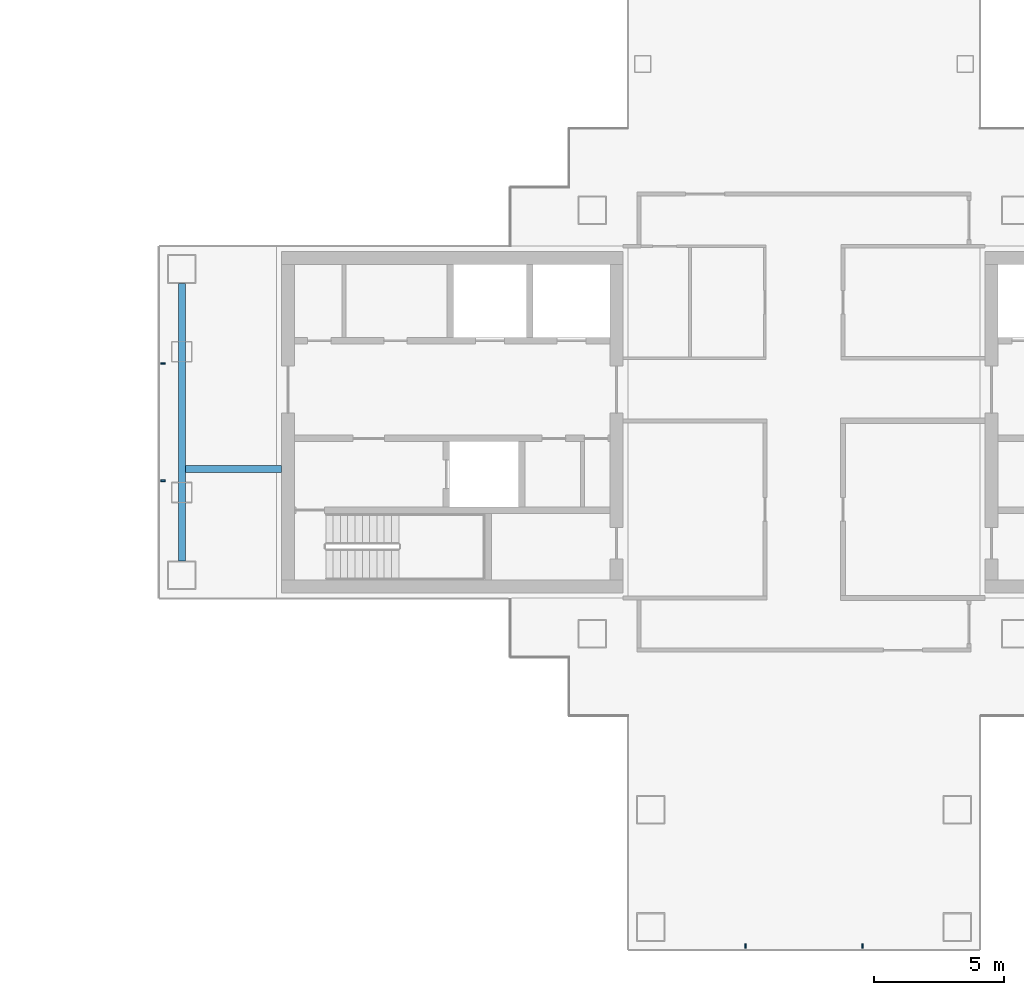
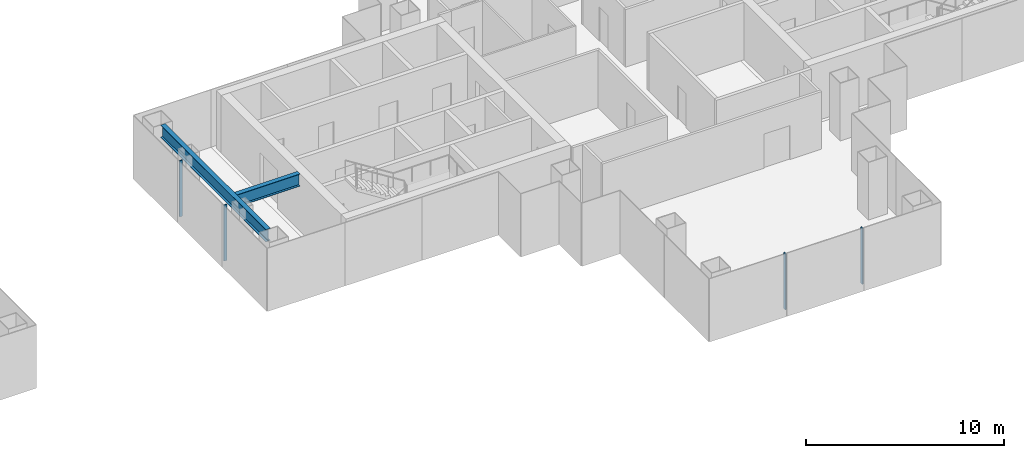
# One storey, part 5 of 16: 4 members, 2 beams, 2 elements without a shape of their own.
"""IFC4 building model written with IfcOpenShell, lengths in metres."""

import ifcopenshell
import ifcopenshell.guid

model = None  # the IFC model being written
_history = None  # IfcOwnerHistory: only IFC2X3 demands one
_inside = {}  # id of a spatial element -> (the spatial element, [elements in it])
_under = {}  # id of a project, library or spatial element -> (it, [spatial elements below it])
_declared = {}  # id of a project -> (the project, [libraries it declares])
_typed = {}  # id of a type object -> (the type object, [elements of that type])
_made_of = {}  # id of a material, layer set ... -> (it, [elements and type objects made of it])


def new_model(schema):
    """Start an empty IFC model of exactly this schema.

    Asked for "IFC4X3", IfcOpenShell would pick the latest addendum, in which some entities
    have other attributes; the version numbers below select the first issue.
    IFC2X3 requires an IfcOwnerHistory on every rooted entity: one is made here for all.
    """
    global model, _history
    if schema == "IFC4X3":
        model = ifcopenshell.file(schema_version=(4, 3, 0, 0))
    else:
        model = ifcopenshell.file(schema=schema)
    _inside.clear()
    _under.clear()
    _declared.clear()
    _typed.clear()
    _made_of.clear()
    _history = None
    if model.schema == "IFC2X3":
        org = make("IfcOrganization", Name="unknown")
        user = make(
            "IfcPersonAndOrganization",
            ThePerson=make("IfcPerson", FamilyName="unknown"),
            TheOrganization=org,
        )
        app = make(
            "IfcApplication",
            ApplicationDeveloper=org,
            Version="unknown",
            ApplicationFullName="unknown",
            ApplicationIdentifier="unknown",
        )
        _history = make(
            "IfcOwnerHistory",
            OwningUser=user,
            OwningApplication=app,
            ChangeAction="ADDED",
            CreationDate=0,
        )
    return model


def make(cls, **values):
    """One entity of the class cls with the attributes given. An attribute that is None is left unset."""
    return model.create_entity(
        cls, **{name: value for name, value in values.items() if value is not None}
    )


def rooted(cls, **values):
    """An entity with a GlobalId (a new one), such as an element, a storey or a relation."""
    return make(cls, GlobalId=ifcopenshell.guid.new(), OwnerHistory=_history, **values)


def si_unit(unit_type, name, prefix=None):
    """IfcSIUnit, for example si_unit("LENGTHUNIT", "METRE", prefix="MILLI")."""
    return make("IfcSIUnit", UnitType=unit_type, Prefix=prefix, Name=name)


def assignment(units):
    """IfcUnitAssignment: the units of a project."""
    return None if units is None else make("IfcUnitAssignment", Units=units)


def point(xyz):
    """IfcCartesianPoint."""
    return None if xyz is None else make("IfcCartesianPoint", Coordinates=xyz)


def direction(xyz):
    """IfcDirection."""
    return None if xyz is None else make("IfcDirection", DirectionRatios=xyz)


def frame(location, z_axis=None, x_axis=None):
    """IfcAxis2Placement3D, a coordinate frame: its origin and axes. An axis left out is left unset."""
    return make(
        "IfcAxis2Placement3D",
        Location=point(location),
        Axis=direction(z_axis),
        RefDirection=direction(x_axis),
    )


def frame_2d(location, x_axis=None):
    """IfcAxis2Placement2D, a coordinate frame in the plane: its origin and x axis."""
    return make(
        "IfcAxis2Placement2D", Location=point(location), RefDirection=direction(x_axis)
    )


def origin():
    """The frame at (0, 0, 0) with its axes left unset."""
    return frame((0.0, 0.0, 0.0))


def origin_2d():
    """The frame at (0, 0) in the plane with its x axis left unset."""
    return frame_2d((0.0, 0.0))


def place(relative_to, where):
    """IfcLocalPlacement: puts the frame where relative to a parent placement (None: the world)."""
    return make(
        "IfcLocalPlacement", PlacementRelTo=relative_to, RelativePlacement=where
    )


def context(
    kind, dimensions, precision=None, world=None, true_north=None, identifier=None
):
    """IfcGeometricRepresentationContext, for example the 3D "Model" context."""
    return make(
        "IfcGeometricRepresentationContext",
        ContextIdentifier=identifier,
        ContextType=kind,
        CoordinateSpaceDimension=dimensions,
        Precision=precision,
        WorldCoordinateSystem=world,
        TrueNorth=true_north,
    )


def subcontext(parent, identifier, kind, view, scale=None):
    """IfcGeometricRepresentationSubContext, for example "Body" below "Model"."""
    return make(
        "IfcGeometricRepresentationSubContext",
        ContextIdentifier=identifier,
        ContextType=kind,
        ParentContext=parent,
        TargetScale=scale,
        TargetView=view,
    )


def project(units=None, contexts=None):
    """IfcProject with its units and contexts."""
    return rooted(
        "IfcProject",
        Name="project",
        RepresentationContexts=contexts,
        UnitsInContext=assignment(units),
    )


def spatial(cls, under=None, at=None, **own):
    """A site, building, storey or space (cls), placed at a placement, below another one or the project."""
    s = rooted(cls, ObjectPlacement=at, **own)
    if under is not None:
        _under.setdefault(under.id(), (under, []))[1].append(s)
    return s


def profile(cls, at=None, kind="AREA", **sizes):
    """A parametric profile (cls). Its sizes go by their IFC names, for example OverallWidth=200.0."""
    return make(cls, ProfileType=kind, Position=at, **sizes)


def rectangle(**sizes):
    """IfcRectangleProfileDef."""
    return profile("IfcRectangleProfileDef", **sizes)


def i_section(**sizes):
    """IfcIShapeProfileDef."""
    return profile("IfcIShapeProfileDef", **sizes)


def extrude(swept, where, along, depth):
    """IfcExtrudedAreaSolid: the profile swept, set in the frame where, extruded along a direction by depth."""
    return make(
        "IfcExtrudedAreaSolid",
        SweptArea=swept,
        Position=where,
        ExtrudedDirection=direction(along),
        Depth=depth,
    )


def shape(context_of_items, identifier, shape_type, items):
    """IfcShapeRepresentation: the items that make up one representation, for example the "Body"."""
    return make(
        "IfcShapeRepresentation",
        ContextOfItems=context_of_items,
        RepresentationIdentifier=identifier,
        RepresentationType=shape_type,
        Items=items,
    )


def material(Name=None, Category=None):
    """IfcMaterial."""
    return make("IfcMaterial", Name=Name, Category=Category)


def layer(
    of_material, thickness, ventilated=None, Name=None, Category=None, Priority=None
):
    """IfcMaterialLayer: one layer of a wall or slab, of a material (None: an air gap)."""
    return make(
        "IfcMaterialLayer",
        Material=of_material,
        LayerThickness=thickness,
        IsVentilated=ventilated,
        Name=Name,
        Category=Category,
        Priority=Priority,
    )


def layer_set(layers, Name=None):
    """IfcMaterialLayerSet."""
    return make("IfcMaterialLayerSet", MaterialLayers=layers, LayerSetName=Name)


def material_profile(
    of_material, cross_section, Name=None, Category=None, Priority=None
):
    """IfcMaterialProfile: a cross section and its material."""
    return make(
        "IfcMaterialProfile",
        Name=Name,
        Material=of_material,
        Profile=cross_section,
        Priority=Priority,
        Category=Category,
    )


def profile_set(profiles, Name=None, composite=None):
    """IfcMaterialProfileSet."""
    return make(
        "IfcMaterialProfileSet",
        Name=Name,
        MaterialProfiles=profiles,
        CompositeProfile=composite,
    )


def made_of(thing, what):
    """Note that an element or type object is made of a material, layer set ...; save() writes the relation."""
    if what is not None:
        _made_of.setdefault(what.id(), (what, []))[1].append(thing)
    return thing


def type_object(cls, material=None, **own):
    """A type object (cls), such as IfcWallType, which elements share."""
    return made_of(rooted(cls, **own), material)


def element(
    cls,
    number,
    at=None,
    inside=None,
    cuts=None,
    type_object=None,
    material=None,
    context=None,
    identifier="Body",
    shape_type=None,
    held_by="IfcProductDefinitionShape",
    body=None,
    shapes=None,
    **own,
):
    """One element of the class cls, such as IfcWall. Its Tag is "e" and its number.

    at: its placement. inside: the storey or other place that contains it. cuts: it is an
    opening in that element (IfcRelVoidsElement). A single representation is given by context,
    identifier, shape_type and body (its items); several are given by shapes. held_by: the class
    of the entity that holds the representations. save() writes the other relations.
    """
    e = rooted(cls, Tag="e%d" % number, ObjectPlacement=at, **own)
    if body is not None:
        shapes = [shape(context, identifier, shape_type, body)]
    if shapes is not None:
        e.Representation = make(held_by, Representations=shapes)
    if inside is not None:
        _inside.setdefault(inside.id(), (inside, []))[1].append(e)
    if cuts is not None:
        rooted(
            "IfcRelVoidsElement", RelatingBuildingElement=cuts, RelatedOpeningElement=e
        )
    if type_object is not None:
        _typed.setdefault(type_object.id(), (type_object, []))[1].append(e)
    return made_of(e, material)


def aggregate(whole, parts):
    """IfcRelAggregates: a whole, such as a stair, and the parts it consists of."""
    return rooted("IfcRelAggregates", RelatingObject=whole, RelatedObjects=parts)


def save(model, path):
    """Write the relations noted so far, then the file.

    IfcRelAggregates (storeys below a building ...), IfcRelContainedInSpatialStructure (elements
    in a storey), IfcRelDefinesByType, IfcRelAssociatesMaterial and IfcRelDeclares: one each for
    every whole, place, type object, material and project.
    """
    for whole, parts in _under.values():
        aggregate(whole, parts)
    for where, things in _inside.values():
        rooted(
            "IfcRelContainedInSpatialStructure",
            RelatedElements=things,
            RelatingStructure=where,
        )
    for kind, things in _typed.values():
        rooted("IfcRelDefinesByType", RelatedObjects=things, RelatingType=kind)
    for what, things in _made_of.values():
        rooted("IfcRelAssociatesMaterial", RelatedObjects=things, RelatingMaterial=what)
    for by, libraries in _declared.values():
        rooted("IfcRelDeclares", RelatingContext=by, RelatedDefinitions=libraries)
    model.write(path)


model = new_model("IFC4")

# Units and contexts
model_context = context("Model", 3, precision=1e-05, world=origin(), true_north=direction((0.0, 1.0)))
body_context = subcontext(model_context, "Body", "Model", "MODEL_VIEW")
ifc_project = project(units=[si_unit("LENGTHUNIT", "METRE"), si_unit("AREAUNIT", "SQUARE_METRE"), si_unit("VOLUMEUNIT", "CUBIC_METRE"), si_unit("PLANEANGLEUNIT", "RADIAN"), si_unit("MASSUNIT", "GRAM", prefix="KILO")], contexts=[model_context])

# Site, building, storey
site_placement = place(None, origin())
site = spatial("IfcSite", under=ifc_project, at=site_placement, CompositionType="ELEMENT")
building_placement = place(site_placement, origin())
building = spatial("IfcBuilding", under=site, at=building_placement, Name="Shamsa Quay Exchange Towers", CompositionType="ELEMENT")
storey_placement = place(building_placement, frame((0.0, 0.0, 142.800048828125)))
storey = spatial("IfcBuildingStorey", under=building, at=storey_placement, Name="L33", CompositionType="ELEMENT", Elevation=142.800048828125)

# Curtain wall, members
ifc_material_1 = material(Name="Aluminium EN AW-6063 T6, black anodised", Category="aluminium")
ifc_layer = layer(ifc_material_1, 0.280029296875)
ifc_layer_set = layer_set([ifc_layer], Name="CW-1 UNITISED VISION GLASS")
curtain_wall_type = type_object("IfcCurtainWallType", Name="CW-1 UNITISED VISION GLASS", PredefinedType="NOTDEFINED", material=ifc_layer_set)
curtain_wall_1_placement = place(storey_placement, origin())
curtain_wall_1 = element("IfcCurtainWall", 1, at=curtain_wall_1_placement, inside=storey, type_object=curtain_wall_type, Name="CW1 T2-END-V+ L33", PredefinedType="NOTDEFINED")
ifc_material_profile_1 = material_profile(ifc_material_1, rectangle(XDim=0.179931640625, YDim=0.06005859375, at=origin_2d()), Name="MU60x180")
ifc_profile_set_1 = profile_set([ifc_material_profile_1], Name="Aluminium EN AW-6063 T6, black anodised")
member_type = type_object("IfcMemberType", Name="CW1 MULLION 60x180", PredefinedType="MULLION", material=ifc_profile_set_1)
member_1_placement = place(storey_placement, frame((9.14990234375, 2.25, 0.0)))
member_1 = element("IfcMember", 2, at=member_1_placement, type_object=member_type, Name="CW1 mullion", PredefinedType="MULLION", context=body_context, shape_type="SweptSolid", body=[
    extrude(rectangle(XDim=0.179931640625, YDim=0.06005859375, at=origin_2d()), origin(), (0.0, 0.0, 1.0), 3.449951171875),
])
member_2_placement = place(storey_placement, frame((9.14990234375, -2.25, 0.0)))
member_2 = element("IfcMember", 3, at=member_2_placement, type_object=member_type, Name="CW1 mullion", PredefinedType="MULLION", context=body_context, shape_type="SweptSolid", body=[
    extrude(rectangle(XDim=0.179931640625, YDim=0.06005859375, at=origin_2d()), origin(), (0.0, 0.0, 1.0), 3.449951171875),
])
aggregate(curtain_wall_1, [member_1, member_2])

curtain_wall_2_placement = place(storey_placement, origin())
curtain_wall_2 = element("IfcCurtainWall", 4, at=curtain_wall_2_placement, inside=storey, type_object=curtain_wall_type, Name="CW1 T2-END-U- L33", PredefinedType="NOTDEFINED")
member_3_placement = place(storey_placement, frame((31.5, -20.10009765625, 0.0), z_axis=(0.0, 0.0, 1.0), x_axis=(0.0, 1.0, 0.0)))
member_3 = element("IfcMember", 5, at=member_3_placement, type_object=member_type, Name="CW1 mullion", PredefinedType="MULLION", context=body_context, shape_type="SweptSolid", body=[
    extrude(rectangle(XDim=0.179931640625, YDim=0.06005859375, at=origin_2d()), origin(), (0.0, 0.0, 1.0), 3.449951171875),
])
member_4_placement = place(storey_placement, frame((36.0, -20.10009765625, 0.0), z_axis=(0.0, 0.0, 1.0), x_axis=(0.0, 1.0, 0.0)))
member_4 = element("IfcMember", 6, at=member_4_placement, type_object=member_type, Name="CW1 mullion", PredefinedType="MULLION", context=body_context, shape_type="SweptSolid", body=[
    extrude(rectangle(XDim=0.179931640625, YDim=0.06005859375, at=origin_2d()), origin(), (0.0, 0.0, 1.0), 3.449951171875),
])
aggregate(curtain_wall_2, [member_3, member_4])

# Beams
ifc_material_2 = material(Name="Steel S355", Category="steel")
ifc_material_profile_2 = material_profile(ifc_material_2, i_section(OverallWidth=0.26611328125, OverallDepth=0.7578125, WebThickness=0.013916015625, FlangeThickness=0.019287109375, at=origin_2d()), Name="W30x108")
ifc_profile_set_2 = profile_set([ifc_material_profile_2], Name="Steel S355")
beam_type = type_object("IfcBeamType", Name="End-zone beam W30x108", PredefinedType="BEAM", material=ifc_profile_set_2)
beam_1_placement = place(storey_placement, frame((9.875, -5.324951171875, 3.171142578125), z_axis=(0.0, 1.0, 0.0), x_axis=(-1.0, 0.0, 0.0)))
element("IfcBeam", 7, at=beam_1_placement, inside=storey, type_object=beam_type, Name="End beam T2 V+ end zone L33", PredefinedType="BEAM", context=body_context, shape_type="SweptSolid", body=[
    extrude(i_section(OverallWidth=0.26611328125, OverallDepth=0.7578125, WebThickness=0.013916015625, FlangeThickness=0.019287109375, at=origin_2d()), origin(), (0.0, 0.0, 1.0), 10.64990234375),
])
beam_2_placement = place(storey_placement, frame((13.699951171875, -1.800048828125, 3.171142578125), z_axis=(-1.0, 0.0, 0.0), x_axis=(0.0, -1.0, 0.0)))
element("IfcBeam", 8, at=beam_2_placement, inside=storey, type_object=beam_type, Name="Spine beam T2 V+ end zone L33", PredefinedType="BEAM", context=body_context, shape_type="SweptSolid", body=[
    extrude(i_section(OverallWidth=0.26611328125, OverallDepth=0.7578125, WebThickness=0.013916015625, FlangeThickness=0.019287109375, at=origin_2d()), origin(), (0.0, 0.0, 1.0), 3.69189453125),
])

save(model, "model.ifc")
